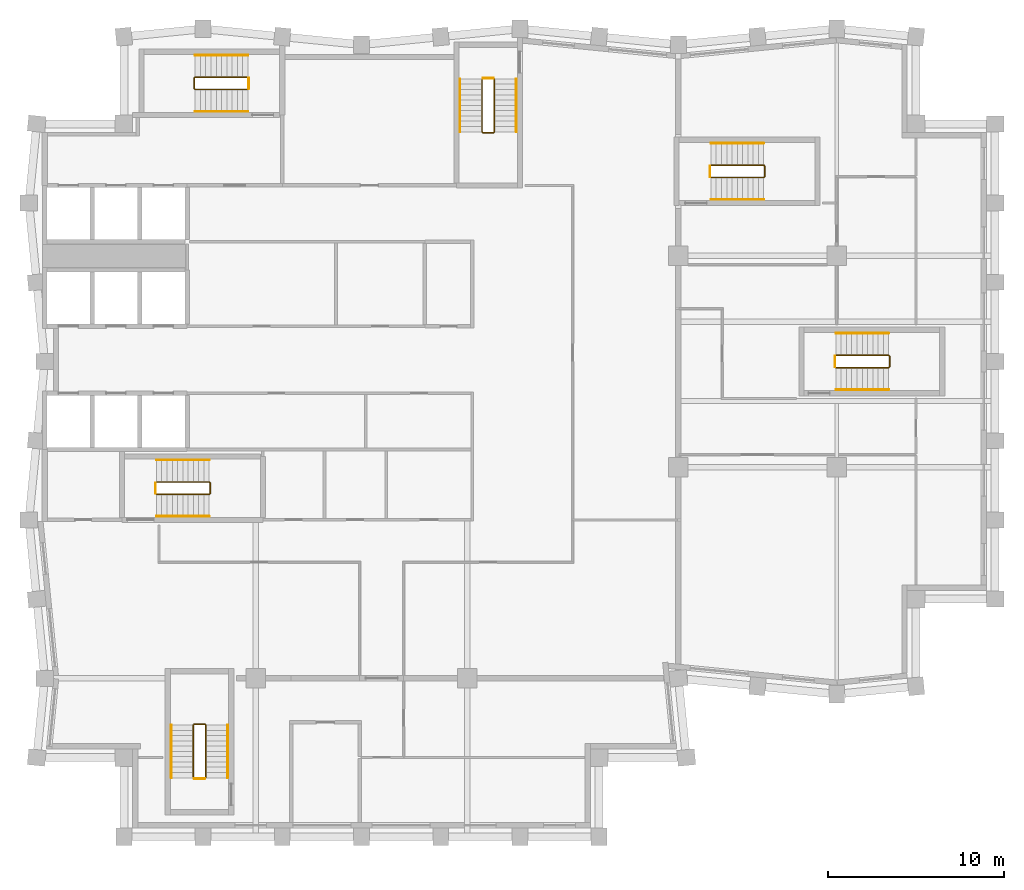
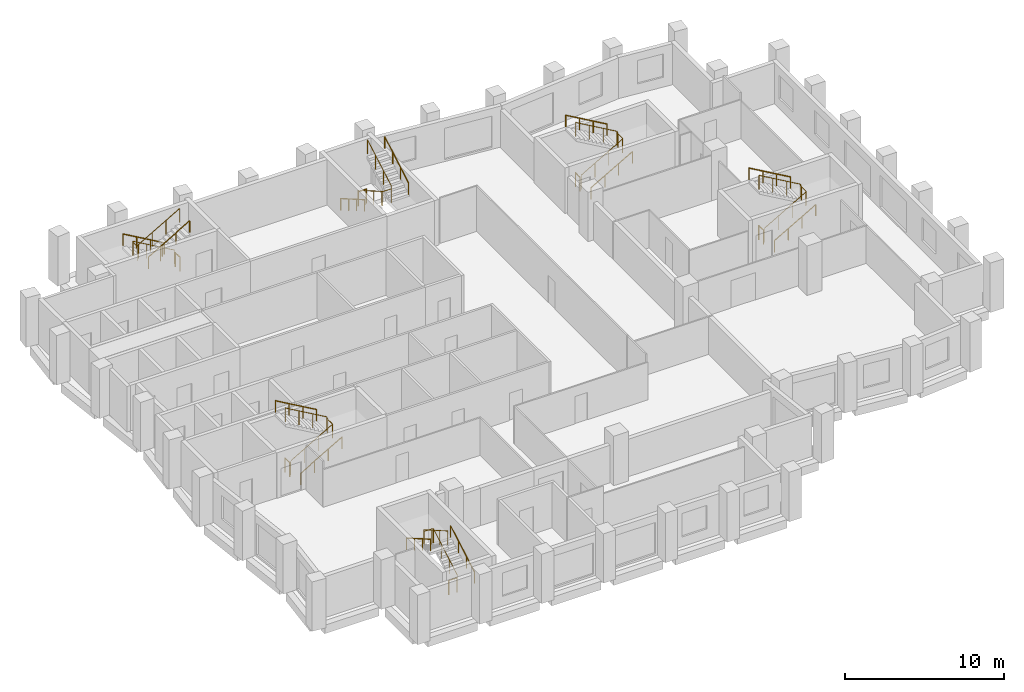
# One storey, part 8 of 8: 24 railings.
"""IFC4 building model written with IfcOpenShell, lengths in metres."""

from ifc_helpers import new_model, si_unit, direction, frame, origin, origin_2d, place, context, subcontext, project, spatial, circle, extrude, material, type_object, element, save


model = new_model("IFC4")

# Units and contexts
model_context = context("Model", 3, precision=1e-05, world=origin(), true_north=direction((0.0, 1.0)))
body_context = subcontext(model_context, "Body", "Model", "MODEL_VIEW")
ifc_project = project(units=[si_unit("LENGTHUNIT", "METRE"), si_unit("AREAUNIT", "SQUARE_METRE"), si_unit("VOLUMEUNIT", "CUBIC_METRE"), si_unit("PLANEANGLEUNIT", "RADIAN"), si_unit("MASSUNIT", "GRAM", prefix="KILO")], contexts=[model_context])

# Site, building, storey
site_placement = place(None, origin())
site = spatial("IfcSite", under=ifc_project, at=site_placement, CompositionType="ELEMENT")
building_placement = place(site_placement, origin())
building = spatial("IfcBuilding", under=site, at=building_placement, Name="Brondeck Convention Tower", CompositionType="ELEMENT")
storey_placement = place(building_placement, frame((0.0, 0.0, 236.800048828125)))
storey = spatial("IfcBuildingStorey", under=building, at=storey_placement, Name="L58", CompositionType="ELEMENT", Elevation=236.800048828125)

# Railings
ifc_material = material(Name="Steel S355", Category="steel")
railing_type_1 = type_object("IfcRailingType", Name="Stair guard 1100", PredefinedType="GUARDRAIL", material=ifc_material)
railing_1_placement = place(storey_placement, frame((6.35009765625, 37.449951171875, 0.172607421875)))
element("IfcRailing", 1, at=railing_1_placement, inside=storey, type_object=railing_type_1, Name="L58 ST-1 stair guard 1", PredefinedType="GUARDRAIL", context=body_context, shape_type="SweptSolid", body=[
    extrude(circle(Radius=0.02392578125, at=origin_2d()), frame((0.0, 0.0, 1.076171875), z_axis=(0.866619684472, 0.0, 0.498969260062), x_axis=(0.0, 1.0, 0.0)), (0.0, 0.0, 1.0), 3.461669921875),
    extrude(circle(Radius=0.02392578125, at=origin_2d()), frame((3.0, 0.0, 2.80322265625), z_axis=(0.705375805398, 0.708833529934, 0.0), x_axis=(-0.708833529934, 0.705375805398, 0.0)), (0.0, 0.0, 1.0), 0.070556640625),
    extrude(circle(Radius=0.02392578125, at=origin_2d()), frame((3.0498046875, 0.050048828125, 2.80322265625), z_axis=(0.0, 1.0, 0.0), x_axis=(-1.0, 0.0, 0.0)), (0.0, 0.0, 1.0), 0.60009765625),
    extrude(circle(Radius=0.02392578125, at=origin_2d()), frame((3.0498046875, 0.650146484375, 2.80322265625), z_axis=(-0.266832911964, 0.266832911964, 0.926067165051), x_axis=(-0.707106781187, -0.707106781187, 0.0)), (0.0, 0.0, 1.0), 0.186767578125),
    extrude(circle(Radius=0.02392578125, at=origin_2d()), frame((3.0, 0.699951171875, 2.97607421875), z_axis=(-0.866619684472, 0.0, 0.498969260062), x_axis=(0.0, -1.0, 0.0)), (0.0, 0.0, 1.0), 3.461669921875),
    extrude(circle(Radius=0.02099609375, at=origin_2d()), origin(), (0.0, 0.0, 1.0), 1.052001953125),
    extrude(circle(Radius=0.02099609375, at=origin_2d()), frame((1.0, 0.0, 0.57568359375)), (0.0, 0.0, 1.0), 1.052001953125),
    extrude(circle(Radius=0.02099609375, at=origin_2d()), frame((2.0, 0.0, 1.151611328125)), (0.0, 0.0, 1.0), 1.052001953125),
    extrude(circle(Radius=0.02099609375, at=origin_2d()), frame((3.0, 0.0, 1.727294921875)), (0.0, 0.0, 1.0), 1.052001953125),
    extrude(circle(Radius=0.02099609375, at=origin_2d()), frame((3.0498046875, 0.050048828125, 1.727294921875)), (0.0, 0.0, 1.0), 1.052001953125),
    extrude(circle(Radius=0.02099609375, at=origin_2d()), frame((3.0498046875, 0.650146484375, 1.727294921875)), (0.0, 0.0, 1.0), 1.052001953125),
    extrude(circle(Radius=0.02099609375, at=origin_2d()), frame((3.0, 0.699951171875, 1.900146484375)), (0.0, 0.0, 1.0), 1.052001953125),
    extrude(circle(Radius=0.02099609375, at=origin_2d()), frame((2.0, 0.699951171875, 2.475830078125)), (0.0, 0.0, 1.0), 1.052001953125),
    extrude(circle(Radius=0.02099609375, at=origin_2d()), frame((1.0, 0.699951171875, 3.0517578125)), (0.0, 0.0, 1.0), 1.052001953125),
    extrude(circle(Radius=0.02099609375, at=origin_2d()), frame((0.0, 0.699951171875, 3.62744140625)), (0.0, 0.0, 1.0), 1.052001953125),
])
railing_2_placement = place(storey_placement, frame((6.300048828125, 37.5, 0.0)))
element("IfcRailing", 2, at=railing_2_placement, inside=storey, type_object=railing_type_1, Name="L58 ST-1 stair guard 2", PredefinedType="GUARDRAIL", context=body_context, shape_type="SweptSolid", body=[
    extrude(circle(Radius=0.02392578125, at=origin_2d()), frame((0.0, 0.0, 1.076171875), z_axis=(0.0, 1.0, 0.0), x_axis=(-1.0, 0.0, 0.0)), (0.0, 0.0, 1.0), 0.60009765625),
    extrude(circle(Radius=0.02099609375, at=origin_2d()), origin(), (0.0, 0.0, 1.0), 1.052001953125),
    extrude(circle(Radius=0.02099609375, at=origin_2d()), frame((0.0, 0.60009765625, 0.0)), (0.0, 0.0, 1.0), 1.052001953125),
])
railing_3_placement = place(storey_placement, frame((24.85009765625, 61.050048828125, 0.172607421875)))
element("IfcRailing", 3, at=railing_3_placement, inside=storey, type_object=railing_type_1, Name="L58 ST-2 stair guard 1", PredefinedType="GUARDRAIL", context=body_context, shape_type="SweptSolid", body=[
    extrude(circle(Radius=0.02392578125, at=origin_2d()), frame((0.0, 0.0, 1.076171875), z_axis=(0.0, -0.866619684472, 0.498969260062), x_axis=(1.0, 0.0, 0.0)), (0.0, 0.0, 1.0), 3.461669921875),
    extrude(circle(Radius=0.02392578125, at=origin_2d()), frame((0.0, -3.0, 2.80322265625), z_axis=(0.705375805398, -0.708833529934, 0.0), x_axis=(0.708833529934, 0.705375805398, 0.0)), (0.0, 0.0, 1.0), 0.070556640625),
    extrude(circle(Radius=0.02392578125, at=origin_2d()), frame((0.0498046875, -3.050048828125, 2.80322265625), z_axis=(1.0, 0.0, 0.0), x_axis=(0.0, 1.0, 0.0)), (0.0, 0.0, 1.0), 0.60009765625),
    extrude(circle(Radius=0.02392578125, at=origin_2d()), frame((0.64990234375, -3.050048828125, 2.80322265625), z_axis=(0.267953482034, 0.267953482034, 0.925419830635), x_axis=(-0.707106781187, 0.707106781187, 0.0)), (0.0, 0.0, 1.0), 0.186767578125),
    extrude(circle(Radius=0.02392578125, at=origin_2d()), frame((0.699951171875, -3.0, 2.97607421875), z_axis=(0.0, 0.866619684472, 0.498969260062), x_axis=(-1.0, 0.0, 0.0)), (0.0, 0.0, 1.0), 3.461669921875),
    extrude(circle(Radius=0.02099609375, at=origin_2d()), origin(), (0.0, 0.0, 1.0), 1.052001953125),
    extrude(circle(Radius=0.02099609375, at=origin_2d()), frame((0.0, -1.0, 0.57568359375)), (0.0, 0.0, 1.0), 1.052001953125),
    extrude(circle(Radius=0.02099609375, at=origin_2d()), frame((0.0, -2.0, 1.151611328125)), (0.0, 0.0, 1.0), 1.052001953125),
    extrude(circle(Radius=0.02099609375, at=origin_2d()), frame((0.0, -3.0, 1.727294921875)), (0.0, 0.0, 1.0), 1.052001953125),
    extrude(circle(Radius=0.02099609375, at=origin_2d()), frame((0.0498046875, -3.050048828125, 1.727294921875)), (0.0, 0.0, 1.0), 1.052001953125),
    extrude(circle(Radius=0.02099609375, at=origin_2d()), frame((0.64990234375, -3.050048828125, 1.727294921875)), (0.0, 0.0, 1.0), 1.052001953125),
    extrude(circle(Radius=0.02099609375, at=origin_2d()), frame((0.699951171875, -3.0, 1.900146484375)), (0.0, 0.0, 1.0), 1.052001953125),
    extrude(circle(Radius=0.02099609375, at=origin_2d()), frame((0.699951171875, -2.0, 2.475830078125)), (0.0, 0.0, 1.0), 1.052001953125),
    extrude(circle(Radius=0.02099609375, at=origin_2d()), frame((0.699951171875, -1.0, 3.0517578125)), (0.0, 0.0, 1.0), 1.052001953125),
    extrude(circle(Radius=0.02099609375, at=origin_2d()), frame((0.699951171875, 0.0, 3.62744140625)), (0.0, 0.0, 1.0), 1.052001953125),
])
railing_4_placement = place(storey_placement, frame((24.89990234375, 61.10009765625, 0.0)))
element("IfcRailing", 4, at=railing_4_placement, inside=storey, type_object=railing_type_1, Name="L58 ST-2 stair guard 2", PredefinedType="GUARDRAIL", context=body_context, shape_type="SweptSolid", body=[
    extrude(circle(Radius=0.02392578125, at=origin_2d()), frame((0.0, 0.0, 1.076171875), z_axis=(1.0, 0.0, 0.0), x_axis=(0.0, 1.0, 0.0)), (0.0, 0.0, 1.0), 0.60009765625),
    extrude(circle(Radius=0.02099609375, at=origin_2d()), origin(), (0.0, 0.0, 1.0), 1.052001953125),
    extrude(circle(Radius=0.02099609375, at=origin_2d()), frame((0.60009765625, 0.0, 0.0)), (0.0, 0.0, 1.0), 1.052001953125),
])
railing_5_placement = place(storey_placement, frame((11.550048828125, 61.14990234375, 0.172607421875)))
element("IfcRailing", 5, at=railing_5_placement, inside=storey, type_object=railing_type_1, Name="L58 ST-3 stair guard 1", PredefinedType="GUARDRAIL", context=body_context, shape_type="SweptSolid", body=[
    extrude(circle(Radius=0.02392578125, at=origin_2d()), frame((0.0, 0.0, 1.076171875), z_axis=(-0.866619684472, 0.0, 0.498969260062), x_axis=(0.0, -1.0, 0.0)), (0.0, 0.0, 1.0), 3.461669921875),
    extrude(circle(Radius=0.02392578125, at=origin_2d()), frame((-3.0, 0.0, 2.80322265625), z_axis=(-0.708833529934, -0.705375805398, 0.0), x_axis=(0.705375805398, -0.708833529934, 0.0)), (0.0, 0.0, 1.0), 0.070556640625),
    extrude(circle(Radius=0.02392578125, at=origin_2d()), frame((-3.050048828125, -0.0498046875, 2.80322265625), z_axis=(0.0, -1.0, 0.0), x_axis=(1.0, 0.0, 0.0)), (0.0, 0.0, 1.0), 0.60009765625),
    extrude(circle(Radius=0.02392578125, at=origin_2d()), frame((-3.050048828125, -0.64990234375, 2.80322265625), z_axis=(0.267953482034, -0.267953482034, 0.925419830635), x_axis=(0.707106781187, 0.707106781187, 0.0)), (0.0, 0.0, 1.0), 0.186767578125),
    extrude(circle(Radius=0.02392578125, at=origin_2d()), frame((-3.0, -0.699951171875, 2.97607421875), z_axis=(0.866619684472, 0.0, 0.498969260062), x_axis=(0.0, 1.0, 0.0)), (0.0, 0.0, 1.0), 3.461669921875),
    extrude(circle(Radius=0.02099609375, at=origin_2d()), origin(), (0.0, 0.0, 1.0), 1.052001953125),
    extrude(circle(Radius=0.02099609375, at=origin_2d()), frame((-1.0, 0.0, 0.57568359375)), (0.0, 0.0, 1.0), 1.052001953125),
    extrude(circle(Radius=0.02099609375, at=origin_2d()), frame((-2.0, 0.0, 1.151611328125)), (0.0, 0.0, 1.0), 1.052001953125),
    extrude(circle(Radius=0.02099609375, at=origin_2d()), frame((-3.0, 0.0, 1.727294921875)), (0.0, 0.0, 1.0), 1.052001953125),
    extrude(circle(Radius=0.02099609375, at=origin_2d()), frame((-3.050048828125, -0.0498046875, 1.727294921875)), (0.0, 0.0, 1.0), 1.052001953125),
    extrude(circle(Radius=0.02099609375, at=origin_2d()), frame((-3.050048828125, -0.64990234375, 1.727294921875)), (0.0, 0.0, 1.0), 1.052001953125),
    extrude(circle(Radius=0.02099609375, at=origin_2d()), frame((-3.0, -0.699951171875, 1.900146484375)), (0.0, 0.0, 1.0), 1.052001953125),
    extrude(circle(Radius=0.02099609375, at=origin_2d()), frame((-2.0, -0.699951171875, 2.475830078125)), (0.0, 0.0, 1.0), 1.052001953125),
    extrude(circle(Radius=0.02099609375, at=origin_2d()), frame((-1.0, -0.699951171875, 3.0517578125)), (0.0, 0.0, 1.0), 1.052001953125),
    extrude(circle(Radius=0.02099609375, at=origin_2d()), frame((0.0, -0.699951171875, 3.62744140625)), (0.0, 0.0, 1.0), 1.052001953125),
])
railing_6_placement = place(storey_placement, frame((11.60009765625, 61.10009765625, 0.0)))
element("IfcRailing", 6, at=railing_6_placement, inside=storey, type_object=railing_type_1, Name="L58 ST-3 stair guard 2", PredefinedType="GUARDRAIL", context=body_context, shape_type="SweptSolid", body=[
    extrude(circle(Radius=0.02392578125, at=origin_2d()), frame((0.0, 0.0, 1.076171875), z_axis=(0.0, -1.0, 0.0), x_axis=(1.0, 0.0, 0.0)), (0.0, 0.0, 1.0), 0.60009765625),
    extrude(circle(Radius=0.02099609375, at=origin_2d()), origin(), (0.0, 0.0, 1.0), 1.052001953125),
    extrude(circle(Radius=0.02099609375, at=origin_2d()), frame((0.0, -0.60009765625, 0.0)), (0.0, 0.0, 1.0), 1.052001953125),
])
railing_7_placement = place(storey_placement, frame((37.85009765625, 55.449951171875, 0.172607421875)))
element("IfcRailing", 7, at=railing_7_placement, inside=storey, type_object=railing_type_1, Name="L58 ST-AE stair guard 1", PredefinedType="GUARDRAIL", context=body_context, shape_type="SweptSolid", body=[
    extrude(circle(Radius=0.02392578125, at=origin_2d()), frame((0.0, 0.0, 1.076171875), z_axis=(0.866619684472, 0.0, 0.498969260062), x_axis=(0.0, 1.0, 0.0)), (0.0, 0.0, 1.0), 3.461669921875),
    extrude(circle(Radius=0.02392578125, at=origin_2d()), frame((3.0, 0.0, 2.80322265625), z_axis=(0.705375805398, 0.708833529934, 0.0), x_axis=(-0.708833529934, 0.705375805398, 0.0)), (0.0, 0.0, 1.0), 0.070556640625),
    extrude(circle(Radius=0.02392578125, at=origin_2d()), frame((3.0498046875, 0.050048828125, 2.80322265625), z_axis=(0.0, 1.0, 0.0), x_axis=(-1.0, 0.0, 0.0)), (0.0, 0.0, 1.0), 0.60009765625),
    extrude(circle(Radius=0.02392578125, at=origin_2d()), frame((3.0498046875, 0.650146484375, 2.80322265625), z_axis=(-0.266832911964, 0.266832911964, 0.926067165051), x_axis=(-0.707106781187, -0.707106781187, 0.0)), (0.0, 0.0, 1.0), 0.186767578125),
    extrude(circle(Radius=0.02392578125, at=origin_2d()), frame((3.0, 0.699951171875, 2.97607421875), z_axis=(-0.866619684472, 0.0, 0.498969260062), x_axis=(0.0, -1.0, 0.0)), (0.0, 0.0, 1.0), 3.461669921875),
    extrude(circle(Radius=0.02099609375, at=origin_2d()), origin(), (0.0, 0.0, 1.0), 1.052001953125),
    extrude(circle(Radius=0.02099609375, at=origin_2d()), frame((1.0, 0.0, 0.57568359375)), (0.0, 0.0, 1.0), 1.052001953125),
    extrude(circle(Radius=0.02099609375, at=origin_2d()), frame((2.0, 0.0, 1.151611328125)), (0.0, 0.0, 1.0), 1.052001953125),
    extrude(circle(Radius=0.02099609375, at=origin_2d()), frame((3.0, 0.0, 1.727294921875)), (0.0, 0.0, 1.0), 1.052001953125),
    extrude(circle(Radius=0.02099609375, at=origin_2d()), frame((3.0498046875, 0.050048828125, 1.727294921875)), (0.0, 0.0, 1.0), 1.052001953125),
    extrude(circle(Radius=0.02099609375, at=origin_2d()), frame((3.0498046875, 0.650146484375, 1.727294921875)), (0.0, 0.0, 1.0), 1.052001953125),
    extrude(circle(Radius=0.02099609375, at=origin_2d()), frame((3.0, 0.699951171875, 1.900146484375)), (0.0, 0.0, 1.0), 1.052001953125),
    extrude(circle(Radius=0.02099609375, at=origin_2d()), frame((2.0, 0.699951171875, 2.475830078125)), (0.0, 0.0, 1.0), 1.052001953125),
    extrude(circle(Radius=0.02099609375, at=origin_2d()), frame((1.0, 0.699951171875, 3.0517578125)), (0.0, 0.0, 1.0), 1.052001953125),
    extrude(circle(Radius=0.02099609375, at=origin_2d()), frame((0.0, 0.699951171875, 3.62744140625)), (0.0, 0.0, 1.0), 1.052001953125),
])
railing_8_placement = place(storey_placement, frame((37.800048828125, 55.5, 0.0)))
element("IfcRailing", 8, at=railing_8_placement, inside=storey, type_object=railing_type_1, Name="L58 ST-AE stair guard 2", PredefinedType="GUARDRAIL", context=body_context, shape_type="SweptSolid", body=[
    extrude(circle(Radius=0.02392578125, at=origin_2d()), frame((0.0, 0.0, 1.076171875), z_axis=(0.0, 1.0, 0.0), x_axis=(-1.0, 0.0, 0.0)), (0.0, 0.0, 1.0), 0.60009765625),
    extrude(circle(Radius=0.02099609375, at=origin_2d()), origin(), (0.0, 0.0, 1.0), 1.052001953125),
    extrude(circle(Radius=0.02099609375, at=origin_2d()), frame((0.0, 0.60009765625, 0.0)), (0.0, 0.0, 1.0), 1.052001953125),
])
railing_9_placement = place(storey_placement, frame((9.14990234375, 21.35009765625, 0.172607421875)))
element("IfcRailing", 9, at=railing_9_placement, inside=storey, type_object=railing_type_1, Name="L58 ST-BE stair guard 1", PredefinedType="GUARDRAIL", context=body_context, shape_type="SweptSolid", body=[
    extrude(circle(Radius=0.02392578125, at=origin_2d()), frame((0.0, 0.0, 1.076171875), z_axis=(0.0, 0.866619684472, 0.498969260062), x_axis=(-1.0, 0.0, 0.0)), (0.0, 0.0, 1.0), 3.461669921875),
    extrude(circle(Radius=0.02392578125, at=origin_2d()), frame((0.0, 3.0, 2.80322265625), z_axis=(-0.707106781187, 0.707106781187, 0.0), x_axis=(-0.707106781187, -0.707106781187, 0.0)), (0.0, 0.0, 1.0), 0.0703125),
    extrude(circle(Radius=0.02392578125, at=origin_2d()), frame((-0.0498046875, 3.0498046875, 2.80322265625), z_axis=(-1.0, 0.0, 0.0), x_axis=(0.0, -1.0, 0.0)), (0.0, 0.0, 1.0), 0.60009765625),
    extrude(circle(Radius=0.02392578125, at=origin_2d()), frame((-0.64990234375, 3.0498046875, 2.80322265625), z_axis=(-0.268047150085, -0.266739603011, 0.925743328097), x_axis=(0.705375805398, -0.708833529934, 0.0)), (0.0, 0.0, 1.0), 0.186767578125),
    extrude(circle(Radius=0.02392578125, at=origin_2d()), frame((-0.699951171875, 3.0, 2.97607421875), z_axis=(0.0, -0.866619684472, 0.498969260062), x_axis=(1.0, 0.0, 0.0)), (0.0, 0.0, 1.0), 3.461669921875),
    extrude(circle(Radius=0.02099609375, at=origin_2d()), origin(), (0.0, 0.0, 1.0), 1.052001953125),
    extrude(circle(Radius=0.02099609375, at=origin_2d()), frame((0.0, 1.0, 0.57568359375)), (0.0, 0.0, 1.0), 1.052001953125),
    extrude(circle(Radius=0.02099609375, at=origin_2d()), frame((0.0, 2.0, 1.151611328125)), (0.0, 0.0, 1.0), 1.052001953125),
    extrude(circle(Radius=0.02099609375, at=origin_2d()), frame((0.0, 3.0, 1.727294921875)), (0.0, 0.0, 1.0), 1.052001953125),
    extrude(circle(Radius=0.02099609375, at=origin_2d()), frame((-0.0498046875, 3.0498046875, 1.727294921875)), (0.0, 0.0, 1.0), 1.052001953125),
    extrude(circle(Radius=0.02099609375, at=origin_2d()), frame((-0.64990234375, 3.0498046875, 1.727294921875)), (0.0, 0.0, 1.0), 1.052001953125),
    extrude(circle(Radius=0.02099609375, at=origin_2d()), frame((-0.699951171875, 3.0, 1.900146484375)), (0.0, 0.0, 1.0), 1.052001953125),
    extrude(circle(Radius=0.02099609375, at=origin_2d()), frame((-0.699951171875, 2.0, 2.475830078125)), (0.0, 0.0, 1.0), 1.052001953125),
    extrude(circle(Radius=0.02099609375, at=origin_2d()), frame((-0.699951171875, 1.0, 3.0517578125)), (0.0, 0.0, 1.0), 1.052001953125),
    extrude(circle(Radius=0.02099609375, at=origin_2d()), frame((-0.699951171875, 0.0, 3.62744140625)), (0.0, 0.0, 1.0), 1.052001953125),
])
railing_10_placement = place(storey_placement, frame((9.10009765625, 21.300048828125, 0.0)))
element("IfcRailing", 10, at=railing_10_placement, inside=storey, type_object=railing_type_1, Name="L58 ST-BE stair guard 2", PredefinedType="GUARDRAIL", context=body_context, shape_type="SweptSolid", body=[
    extrude(circle(Radius=0.02392578125, at=origin_2d()), frame((0.0, 0.0, 1.076171875), z_axis=(-1.0, 0.0, 0.0), x_axis=(0.0, -1.0, 0.0)), (0.0, 0.0, 1.0), 0.60009765625),
    extrude(circle(Radius=0.02099609375, at=origin_2d()), origin(), (0.0, 0.0, 1.0), 1.052001953125),
    extrude(circle(Radius=0.02099609375, at=origin_2d()), frame((-0.60009765625, 0.0, 0.0)), (0.0, 0.0, 1.0), 1.052001953125),
])
railing_11_placement = place(storey_placement, frame((44.949951171875, 44.64990234375, 0.172607421875)))
element("IfcRailing", 11, at=railing_11_placement, inside=storey, type_object=railing_type_1, Name="L58 ST-AF stair guard 1", PredefinedType="GUARDRAIL", context=body_context, shape_type="SweptSolid", body=[
    extrude(circle(Radius=0.02392578125, at=origin_2d()), frame((0.0, 0.0, 1.076171875), z_axis=(0.866619684472, 0.0, 0.498969260062), x_axis=(0.0, 1.0, 0.0)), (0.0, 0.0, 1.0), 3.461669921875),
    extrude(circle(Radius=0.02392578125, at=origin_2d()), frame((3.0, 0.0, 2.80322265625), z_axis=(0.707106781187, 0.707106781187, 0.0), x_axis=(-0.707106781187, 0.707106781187, 0.0)), (0.0, 0.0, 1.0), 0.07080078125),
    extrude(circle(Radius=0.02392578125, at=origin_2d()), frame((3.050048828125, 0.050048828125, 2.80322265625), z_axis=(0.0, 1.0, 0.0), x_axis=(-1.0, 0.0, 0.0)), (0.0, 0.0, 1.0), 0.60009765625),
    extrude(circle(Radius=0.02392578125, at=origin_2d()), frame((3.050048828125, 0.650146484375, 2.80322265625), z_axis=(-0.267953482034, 0.267953482034, 0.925419830635), x_axis=(-0.707106781187, -0.707106781187, 0.0)), (0.0, 0.0, 1.0), 0.186767578125),
    extrude(circle(Radius=0.02392578125, at=origin_2d()), frame((3.0, 0.7001953125, 2.97607421875), z_axis=(-0.866619684472, 0.0, 0.498969260062), x_axis=(0.0, -1.0, 0.0)), (0.0, 0.0, 1.0), 3.461669921875),
    extrude(circle(Radius=0.02099609375, at=origin_2d()), origin(), (0.0, 0.0, 1.0), 1.052001953125),
    extrude(circle(Radius=0.02099609375, at=origin_2d()), frame((1.0, 0.0, 0.57568359375)), (0.0, 0.0, 1.0), 1.052001953125),
    extrude(circle(Radius=0.02099609375, at=origin_2d()), frame((2.0, 0.0, 1.151611328125)), (0.0, 0.0, 1.0), 1.052001953125),
    extrude(circle(Radius=0.02099609375, at=origin_2d()), frame((3.0, 0.0, 1.727294921875)), (0.0, 0.0, 1.0), 1.052001953125),
    extrude(circle(Radius=0.02099609375, at=origin_2d()), frame((3.050048828125, 0.050048828125, 1.727294921875)), (0.0, 0.0, 1.0), 1.052001953125),
    extrude(circle(Radius=0.02099609375, at=origin_2d()), frame((3.050048828125, 0.650146484375, 1.727294921875)), (0.0, 0.0, 1.0), 1.052001953125),
    extrude(circle(Radius=0.02099609375, at=origin_2d()), frame((3.0, 0.7001953125, 1.900146484375)), (0.0, 0.0, 1.0), 1.052001953125),
    extrude(circle(Radius=0.02099609375, at=origin_2d()), frame((2.0, 0.7001953125, 2.475830078125)), (0.0, 0.0, 1.0), 1.052001953125),
    extrude(circle(Radius=0.02099609375, at=origin_2d()), frame((1.0, 0.7001953125, 3.0517578125)), (0.0, 0.0, 1.0), 1.052001953125),
    extrude(circle(Radius=0.02099609375, at=origin_2d()), frame((0.0, 0.7001953125, 3.62744140625)), (0.0, 0.0, 1.0), 1.052001953125),
])
railing_12_placement = place(storey_placement, frame((44.89990234375, 44.699951171875, 0.0)))
element("IfcRailing", 12, at=railing_12_placement, inside=storey, type_object=railing_type_1, Name="L58 ST-AF stair guard 2", PredefinedType="GUARDRAIL", context=body_context, shape_type="SweptSolid", body=[
    extrude(circle(Radius=0.02392578125, at=origin_2d()), frame((0.0, 0.0, 1.076171875), z_axis=(0.0, 1.0, 0.0), x_axis=(-1.0, 0.0, 0.0)), (0.0, 0.0, 1.0), 0.60009765625),
    extrude(circle(Radius=0.02099609375, at=origin_2d()), origin(), (0.0, 0.0, 1.0), 1.052001953125),
    extrude(circle(Radius=0.02099609375, at=origin_2d()), frame((0.0, 0.60009765625, 0.0)), (0.0, 0.0, 1.0), 1.052001953125),
])
railing_type_2 = type_object("IfcRailingType", Name="Stair handrail", PredefinedType="HANDRAIL", material=ifc_material)
railing_13_placement = place(storey_placement, frame((6.35009765625, 36.199951171875, 0.172607421875)))
element("IfcRailing", 13, at=railing_13_placement, inside=storey, type_object=railing_type_2, Name="L58 ST-1 stair handrail 1", PredefinedType="HANDRAIL", context=body_context, shape_type="SweptSolid", body=[
    extrude(circle(Radius=0.02392578125, at=origin_2d()), frame((0.0, 0.0, 0.8759765625), z_axis=(0.866619684472, 0.0, 0.498969260062), x_axis=(0.0, 1.0, 0.0)), (0.0, 0.0, 1.0), 3.461669921875),
    extrude(circle(Radius=0.02099609375, at=origin_2d()), origin(), (0.0, 0.0, 1.0), 0.851806640625),
    extrude(circle(Radius=0.02099609375, at=origin_2d()), frame((1.0, 0.0, 0.57568359375)), (0.0, 0.0, 1.0), 0.851806640625),
    extrude(circle(Radius=0.02099609375, at=origin_2d()), frame((2.0, 0.0, 1.151611328125)), (0.0, 0.0, 1.0), 0.851806640625),
    extrude(circle(Radius=0.02099609375, at=origin_2d()), frame((3.0, 0.0, 1.727294921875)), (0.0, 0.0, 1.0), 0.851806640625),
])
railing_14_placement = place(storey_placement, frame((9.35009765625, 39.39990234375, 2.07275390625)))
element("IfcRailing", 14, at=railing_14_placement, inside=storey, type_object=railing_type_2, Name="L58 ST-1 stair handrail 2", PredefinedType="HANDRAIL", context=body_context, shape_type="SweptSolid", body=[
    extrude(circle(Radius=0.02392578125, at=origin_2d()), frame((0.0, 0.0, 0.8759765625), z_axis=(-0.866619684472, 0.0, 0.498969260062), x_axis=(0.0, -1.0, 0.0)), (0.0, 0.0, 1.0), 3.461669921875),
    extrude(circle(Radius=0.02099609375, at=origin_2d()), origin(), (0.0, 0.0, 1.0), 0.851806640625),
    extrude(circle(Radius=0.02099609375, at=origin_2d()), frame((-1.0, 0.0, 0.57568359375)), (0.0, 0.0, 1.0), 0.851806640625),
    extrude(circle(Radius=0.02099609375, at=origin_2d()), frame((-2.0, 0.0, 1.151611328125)), (0.0, 0.0, 1.0), 0.851806640625),
    extrude(circle(Radius=0.02099609375, at=origin_2d()), frame((-3.0, 0.0, 1.727294921875)), (0.0, 0.0, 1.0), 0.851806640625),
])
railing_15_placement = place(storey_placement, frame((23.60009765625, 61.050048828125, 0.172607421875)))
element("IfcRailing", 15, at=railing_15_placement, inside=storey, type_object=railing_type_2, Name="L58 ST-2 stair handrail 1", PredefinedType="HANDRAIL", context=body_context, shape_type="SweptSolid", body=[
    extrude(circle(Radius=0.02392578125, at=origin_2d()), frame((0.0, 0.0, 0.8759765625), z_axis=(0.0, -0.866619684472, 0.498969260062), x_axis=(1.0, 0.0, 0.0)), (0.0, 0.0, 1.0), 3.461669921875),
    extrude(circle(Radius=0.02099609375, at=origin_2d()), origin(), (0.0, 0.0, 1.0), 0.851806640625),
    extrude(circle(Radius=0.02099609375, at=origin_2d()), frame((0.0, -1.0, 0.57568359375)), (0.0, 0.0, 1.0), 0.851806640625),
    extrude(circle(Radius=0.02099609375, at=origin_2d()), frame((0.0, -2.0, 1.151611328125)), (0.0, 0.0, 1.0), 0.851806640625),
    extrude(circle(Radius=0.02099609375, at=origin_2d()), frame((0.0, -3.0, 1.727294921875)), (0.0, 0.0, 1.0), 0.851806640625),
])
railing_16_placement = place(storey_placement, frame((26.800048828125, 58.050048828125, 2.07275390625)))
element("IfcRailing", 16, at=railing_16_placement, inside=storey, type_object=railing_type_2, Name="L58 ST-2 stair handrail 2", PredefinedType="HANDRAIL", context=body_context, shape_type="SweptSolid", body=[
    extrude(circle(Radius=0.02392578125, at=origin_2d()), frame((0.0, 0.0, 0.8759765625), z_axis=(0.0, 0.866619684472, 0.498969260062), x_axis=(-1.0, 0.0, 0.0)), (0.0, 0.0, 1.0), 3.461669921875),
    extrude(circle(Radius=0.02099609375, at=origin_2d()), origin(), (0.0, 0.0, 1.0), 0.851806640625),
    extrude(circle(Radius=0.02099609375, at=origin_2d()), frame((0.0, 1.0, 0.57568359375)), (0.0, 0.0, 1.0), 0.851806640625),
    extrude(circle(Radius=0.02099609375, at=origin_2d()), frame((0.0, 2.0, 1.151611328125)), (0.0, 0.0, 1.0), 0.851806640625),
    extrude(circle(Radius=0.02099609375, at=origin_2d()), frame((0.0, 3.0, 1.727294921875)), (0.0, 0.0, 1.0), 0.851806640625),
])
railing_17_placement = place(storey_placement, frame((11.550048828125, 62.39990234375, 0.172607421875)))
element("IfcRailing", 17, at=railing_17_placement, inside=storey, type_object=railing_type_2, Name="L58 ST-3 stair handrail 1", PredefinedType="HANDRAIL", context=body_context, shape_type="SweptSolid", body=[
    extrude(circle(Radius=0.02392578125, at=origin_2d()), frame((0.0, 0.0, 0.8759765625), z_axis=(-0.866619684472, 0.0, 0.498969260062), x_axis=(0.0, -1.0, 0.0)), (0.0, 0.0, 1.0), 3.461669921875),
    extrude(circle(Radius=0.02099609375, at=origin_2d()), origin(), (0.0, 0.0, 1.0), 0.851806640625),
    extrude(circle(Radius=0.02099609375, at=origin_2d()), frame((-1.0, 0.0, 0.57568359375)), (0.0, 0.0, 1.0), 0.851806640625),
    extrude(circle(Radius=0.02099609375, at=origin_2d()), frame((-2.0, 0.0, 1.151611328125)), (0.0, 0.0, 1.0), 0.851806640625),
    extrude(circle(Radius=0.02099609375, at=origin_2d()), frame((-3.0, 0.0, 1.727294921875)), (0.0, 0.0, 1.0), 0.851806640625),
])
for number, where, name in (
    (18, (8.550048828125, 59.199951171875, 2.07275390625), "L58 ST-3 stair handrail 2"),
    (19, (37.85009765625, 54.199951171875, 0.172607421875), "L58 ST-AE stair handrail 1"),
):
    element("IfcRailing", number, at=place(storey_placement, frame(where)), inside=storey, type_object=railing_type_2, Name=name, PredefinedType="HANDRAIL", context=body_context, shape_type="SweptSolid", body=[
        extrude(circle(Radius=0.02392578125, at=origin_2d()), frame((0.0, 0.0, 0.8759765625), z_axis=(0.866619684472, 0.0, 0.498969260062), x_axis=(0.0, 1.0, 0.0)), (0.0, 0.0, 1.0), 3.461669921875),
        extrude(circle(Radius=0.02099609375, at=origin_2d()), origin(), (0.0, 0.0, 1.0), 0.851806640625),
        extrude(circle(Radius=0.02099609375, at=origin_2d()), frame((1.0, 0.0, 0.57568359375)), (0.0, 0.0, 1.0), 0.851806640625),
        extrude(circle(Radius=0.02099609375, at=origin_2d()), frame((2.0, 0.0, 1.151611328125)), (0.0, 0.0, 1.0), 0.851806640625),
        extrude(circle(Radius=0.02099609375, at=origin_2d()), frame((3.0, 0.0, 1.727294921875)), (0.0, 0.0, 1.0), 0.851806640625),
    ])
railing_18_placement = place(storey_placement, frame((40.85009765625, 57.39990234375, 2.07275390625)))
element("IfcRailing", 20, at=railing_18_placement, inside=storey, type_object=railing_type_2, Name="L58 ST-AE stair handrail 2", PredefinedType="HANDRAIL", context=body_context, shape_type="SweptSolid", body=[
    extrude(circle(Radius=0.02392578125, at=origin_2d()), frame((0.0, 0.0, 0.8759765625), z_axis=(-0.866619684472, 0.0, 0.498969260062), x_axis=(0.0, -1.0, 0.0)), (0.0, 0.0, 1.0), 3.461669921875),
    extrude(circle(Radius=0.02099609375, at=origin_2d()), origin(), (0.0, 0.0, 1.0), 0.851806640625),
    extrude(circle(Radius=0.02099609375, at=origin_2d()), frame((-1.0, 0.0, 0.57568359375)), (0.0, 0.0, 1.0), 0.851806640625),
    extrude(circle(Radius=0.02099609375, at=origin_2d()), frame((-2.0, 0.0, 1.151611328125)), (0.0, 0.0, 1.0), 0.851806640625),
    extrude(circle(Radius=0.02099609375, at=origin_2d()), frame((-3.0, 0.0, 1.727294921875)), (0.0, 0.0, 1.0), 0.851806640625),
])
railing_19_placement = place(storey_placement, frame((10.39990234375, 21.35009765625, 0.172607421875)))
element("IfcRailing", 21, at=railing_19_placement, inside=storey, type_object=railing_type_2, Name="L58 ST-BE stair handrail 1", PredefinedType="HANDRAIL", context=body_context, shape_type="SweptSolid", body=[
    extrude(circle(Radius=0.02392578125, at=origin_2d()), frame((0.0, 0.0, 0.8759765625), z_axis=(0.0, 0.866619684472, 0.498969260062), x_axis=(-1.0, 0.0, 0.0)), (0.0, 0.0, 1.0), 3.461669921875),
    extrude(circle(Radius=0.02099609375, at=origin_2d()), origin(), (0.0, 0.0, 1.0), 0.851806640625),
    extrude(circle(Radius=0.02099609375, at=origin_2d()), frame((0.0, 1.0, 0.57568359375)), (0.0, 0.0, 1.0), 0.851806640625),
    extrude(circle(Radius=0.02099609375, at=origin_2d()), frame((0.0, 2.0, 1.151611328125)), (0.0, 0.0, 1.0), 0.851806640625),
    extrude(circle(Radius=0.02099609375, at=origin_2d()), frame((0.0, 3.0, 1.727294921875)), (0.0, 0.0, 1.0), 0.851806640625),
])
railing_20_placement = place(storey_placement, frame((7.199951171875, 24.35009765625, 2.07275390625)))
element("IfcRailing", 22, at=railing_20_placement, inside=storey, type_object=railing_type_2, Name="L58 ST-BE stair handrail 2", PredefinedType="HANDRAIL", context=body_context, shape_type="SweptSolid", body=[
    extrude(circle(Radius=0.02392578125, at=origin_2d()), frame((0.0, 0.0, 0.8759765625), z_axis=(0.0, -0.866619684472, 0.498969260062), x_axis=(1.0, 0.0, 0.0)), (0.0, 0.0, 1.0), 3.461669921875),
    extrude(circle(Radius=0.02099609375, at=origin_2d()), origin(), (0.0, 0.0, 1.0), 0.851806640625),
    extrude(circle(Radius=0.02099609375, at=origin_2d()), frame((0.0, -1.0, 0.57568359375)), (0.0, 0.0, 1.0), 0.851806640625),
    extrude(circle(Radius=0.02099609375, at=origin_2d()), frame((0.0, -2.0, 1.151611328125)), (0.0, 0.0, 1.0), 0.851806640625),
    extrude(circle(Radius=0.02099609375, at=origin_2d()), frame((0.0, -3.0, 1.727294921875)), (0.0, 0.0, 1.0), 0.851806640625),
])
railing_21_placement = place(storey_placement, frame((44.949951171875, 43.39990234375, 0.172607421875)))
element("IfcRailing", 23, at=railing_21_placement, inside=storey, type_object=railing_type_2, Name="L58 ST-AF stair handrail 1", PredefinedType="HANDRAIL", context=body_context, shape_type="SweptSolid", body=[
    extrude(circle(Radius=0.02392578125, at=origin_2d()), frame((0.0, 0.0, 0.8759765625), z_axis=(0.866619684472, 0.0, 0.498969260062), x_axis=(0.0, 1.0, 0.0)), (0.0, 0.0, 1.0), 3.461669921875),
    extrude(circle(Radius=0.02099609375, at=origin_2d()), origin(), (0.0, 0.0, 1.0), 0.851806640625),
    extrude(circle(Radius=0.02099609375, at=origin_2d()), frame((1.0, 0.0, 0.57568359375)), (0.0, 0.0, 1.0), 0.851806640625),
    extrude(circle(Radius=0.02099609375, at=origin_2d()), frame((2.0, 0.0, 1.151611328125)), (0.0, 0.0, 1.0), 0.851806640625),
    extrude(circle(Radius=0.02099609375, at=origin_2d()), frame((3.0, 0.0, 1.727294921875)), (0.0, 0.0, 1.0), 0.851806640625),
])
railing_22_placement = place(storey_placement, frame((47.949951171875, 46.60009765625, 2.07275390625)))
element("IfcRailing", 24, at=railing_22_placement, inside=storey, type_object=railing_type_2, Name="L58 ST-AF stair handrail 2", PredefinedType="HANDRAIL", context=body_context, shape_type="SweptSolid", body=[
    extrude(circle(Radius=0.02392578125, at=origin_2d()), frame((0.0, 0.0, 0.8759765625), z_axis=(-0.866619684472, 0.0, 0.498969260062), x_axis=(0.0, -1.0, 0.0)), (0.0, 0.0, 1.0), 3.461669921875),
    extrude(circle(Radius=0.02099609375, at=origin_2d()), origin(), (0.0, 0.0, 1.0), 0.851806640625),
    extrude(circle(Radius=0.02099609375, at=origin_2d()), frame((-1.0, 0.0, 0.57568359375)), (0.0, 0.0, 1.0), 0.851806640625),
    extrude(circle(Radius=0.02099609375, at=origin_2d()), frame((-2.0, 0.0, 1.151611328125)), (0.0, 0.0, 1.0), 0.851806640625),
    extrude(circle(Radius=0.02099609375, at=origin_2d()), frame((-3.0, 0.0, 1.727294921875)), (0.0, 0.0, 1.0), 0.851806640625),
])

save(model, "model.ifc")
